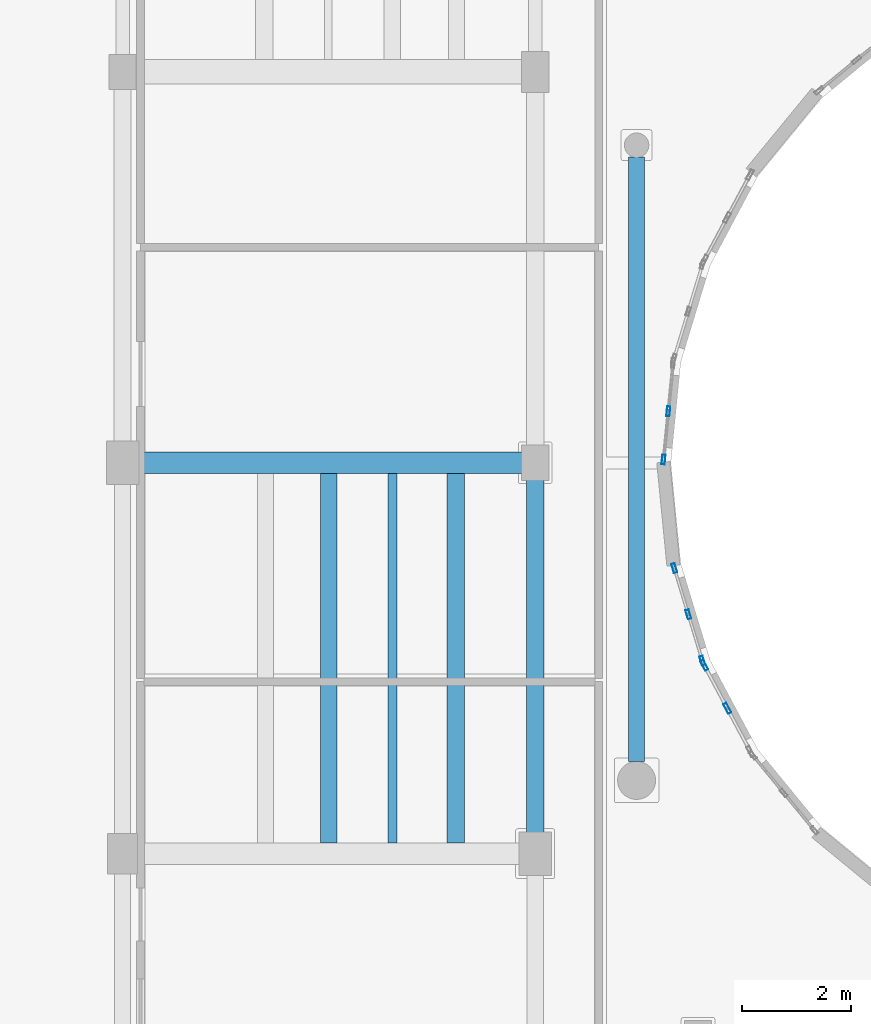
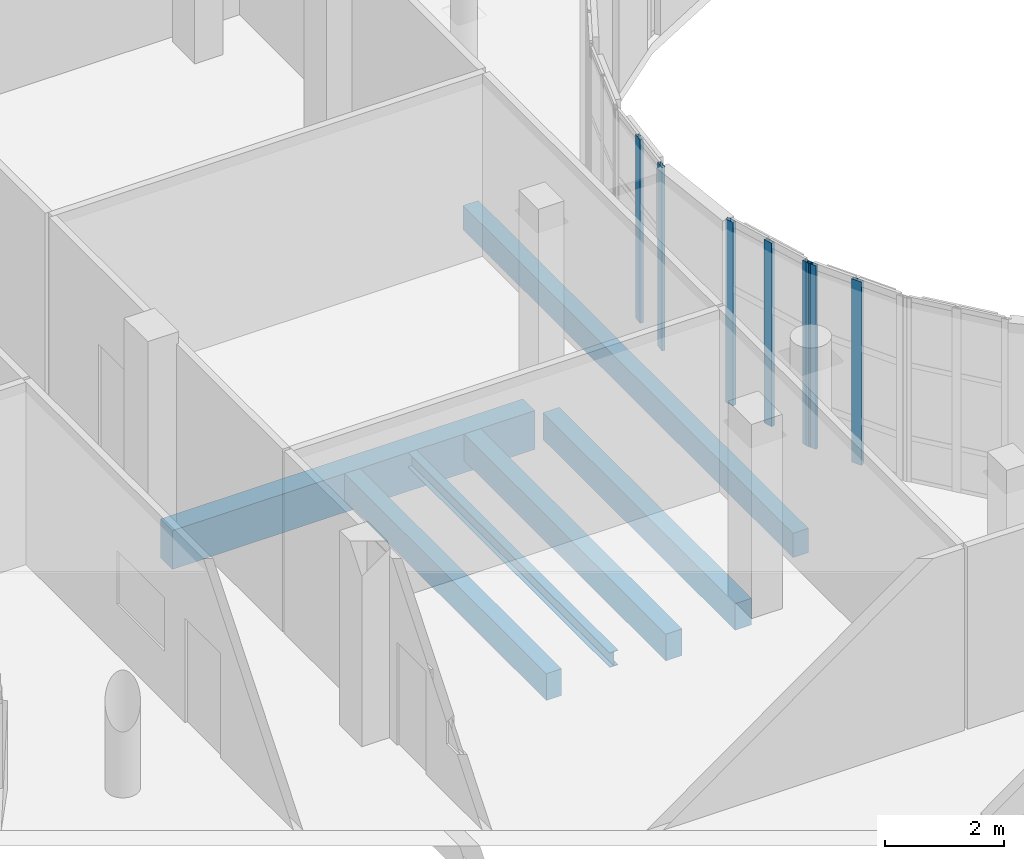
# One storey, part 27 of 89: 7 members, 6 beams, 3 elements without a shape of their own.
"""IFC4 building model written with IfcOpenShell, lengths in metres."""

from ifc_helpers import new_model, si_unit, direction, frame, origin, origin_2d, place, context, subcontext, project, spatial, rectangle, hollow_rectangle, i_section, extrude, material, layer, layer_set, material_profile, profile_set, type_object, element, aggregate, save


model = new_model("IFC4")

# Units and contexts
model_context = context("Model", 3, precision=1e-05, world=origin(), true_north=direction((0.0, 1.0)))
body_context = subcontext(model_context, "Body", "Model", "MODEL_VIEW")
ifc_project = project(units=[si_unit("LENGTHUNIT", "METRE"), si_unit("AREAUNIT", "SQUARE_METRE"), si_unit("VOLUMEUNIT", "CUBIC_METRE"), si_unit("PLANEANGLEUNIT", "RADIAN"), si_unit("MASSUNIT", "GRAM", prefix="KILO")], contexts=[model_context])

# Site, building, storey
site_placement = place(None, origin())
site = spatial("IfcSite", under=ifc_project, at=site_placement, CompositionType="ELEMENT")
building_placement = place(site_placement, origin())
building = spatial("IfcBuilding", under=site, at=building_placement, Name="Kelanivale Promenade Academy", CompositionType="ELEMENT")
storey_placement = place(building_placement, frame((0.0, 0.0, 12.199951171875)))
storey = spatial("IfcBuildingStorey", under=building, at=storey_placement, Name="L03", CompositionType="ELEMENT", Elevation=12.199951171875)

# Beam
ifc_material_1 = material(Name="Concrete C35/45", Category="concrete")
ifc_material_profile_1 = material_profile(ifc_material_1, rectangle(XDim=0.39990234375, YDim=0.800048828125, at=origin_2d()), Name="RC-BM 400x800")
ifc_profile_set_1 = profile_set([ifc_material_profile_1], Name="Concrete C35/45")
beam_type_1 = type_object("IfcBeamType", Name="BM-14 RC-BM 400x800", PredefinedType="BEAM", material=ifc_profile_set_1)
beam_1_placement = place(storey_placement, frame((79.4951171875, 56.800048828125, -0.619873046875), z_axis=(1.0, 0.0, 0.0), x_axis=(0.0, 1.0, 0.0)))
element("IfcBeam", 1, at=beam_1_placement, inside=storey, type_object=beam_type_1, Name="L03 girder BM-14", PredefinedType="BEAM", context=body_context, shape_type="SweptSolid", body=[
    extrude(rectangle(XDim=0.39990234375, YDim=0.800048828125, at=origin_2d()), origin(), (0.0, 0.0, 1.0), 7.059814453125),
])

# Curtain wall, members
ifc_material_2 = material(Name="Bronze anodised aluminium and solar-control low-E glass", Category="aluminium")
ifc_layer_1 = layer(ifc_material_2, 0.169921875)
ifc_layer_set_1 = layer_set([ifc_layer_1], Name="Bronze anodised aluminium and solar-control low-E glass")
curtain_wall_type_1 = type_object("IfcCurtainWallType", Name="CW-22 Curtain Wall 1800mm Module", PredefinedType="USERDEFINED", material=ifc_layer_set_1)
curtain_wall_1_placement = place(storey_placement, origin())
curtain_wall_1 = element("IfcCurtainWall", 2, at=curtain_wall_1_placement, inside=storey, type_object=curtain_wall_type_1, Name="L03 courtyard curtain wall CW-22", ObjectType="COURTYARD SCREEN GLAZING", PredefinedType="USERDEFINED")
ifc_material_3 = material(Name="Bronze anodised aluminium EN AW-6063 T6", Category="aluminium")
ifc_material_profile_2 = material_profile(ifc_material_3, hollow_rectangle(XDim=0.06005859375, YDim=0.179931640625, WallThickness=0.00390625, at=origin_2d()), Name="ALU 60x180x4.0")
ifc_profile_set_2 = profile_set([ifc_material_profile_2], Name="Bronze anodised aluminium EN AW-6063 T6")
member_type_1 = type_object("IfcMemberType", Name="CWM-02 ALU 60x180x4.0", PredefinedType="MULLION", material=ifc_profile_set_2)
member_1_placement = place(storey_placement, frame((89.2529296875, 57.748046875, 0.0), z_axis=(0.0, 0.0, 1.0), x_axis=(0.99513321337, -0.098538762159, 0.0)))
member_1 = element("IfcMember", 3, at=member_1_placement, type_object=member_type_1, Name="CW-22 mullion 2", PredefinedType="MULLION", context=body_context, shape_type="SweptSolid", body=[
    extrude(hollow_rectangle(XDim=0.06005859375, YDim=0.179931640625, WallThickness=0.00390625, at=origin_2d()), origin(), (0.0, 0.0, 1.0), 3.780029296875),
])
member_2_placement = place(storey_placement, frame((89.1650390625, 56.85888671875, 0.0), z_axis=(0.0, 0.0, 1.0), x_axis=(0.99513321337, -0.098538762159, 0.0)))
member_2 = element("IfcMember", 4, at=member_2_placement, type_object=member_type_1, Name="CW-22 mullion 3", PredefinedType="MULLION", context=body_context, shape_type="SweptSolid", body=[
    extrude(hollow_rectangle(XDim=0.06005859375, YDim=0.179931640625, WallThickness=0.00390625, at=origin_2d()), origin(), (0.0, 0.0, 1.0), 3.780029296875),
])
aggregate(curtain_wall_1, [member_1, member_2])

ifc_layer_2 = layer(ifc_material_2, 0.179931640625)
ifc_layer_set_2 = layer_set([ifc_layer_2], Name="Bronze anodised aluminium and solar-control low-E glass")
curtain_wall_type_2 = type_object("IfcCurtainWallType", Name="CW-23 Curtain Wall 1950mm Module", PredefinedType="USERDEFINED", material=ifc_layer_set_2)
curtain_wall_2_placement = place(storey_placement, origin())
curtain_wall_2 = element("IfcCurtainWall", 5, at=curtain_wall_2_placement, inside=storey, type_object=curtain_wall_type_2, Name="L03 courtyard curtain wall CW-23", ObjectType="COURTYARD SCREEN GLAZING", PredefinedType="USERDEFINED")
ifc_material_profile_3 = material_profile(ifc_material_3, hollow_rectangle(XDim=0.06494140625, YDim=0.175048828125, WallThickness=0.00390625, at=origin_2d()), Name="ALU 65x175x4.0")
ifc_profile_set_3 = profile_set([ifc_material_profile_3], Name="Bronze anodised aluminium EN AW-6063 T6")
member_type_2 = type_object("IfcMemberType", Name="CWM-03 ALU 65x175x4.0", PredefinedType="MULLION", material=ifc_profile_set_3)
member_3_placement = place(storey_placement, frame((89.362548828125, 54.86083984375, 0.0), z_axis=(0.0, 0.0, 1.0), x_axis=(0.956987977524, 0.290127576893, 0.0)))
member_3 = element("IfcMember", 6, at=member_3_placement, type_object=member_type_2, Name="CW-23 mullion 1", PredefinedType="MULLION", context=body_context, shape_type="SweptSolid", body=[
    extrude(hollow_rectangle(XDim=0.06494140625, YDim=0.175048828125, WallThickness=0.00390625, at=origin_2d()), origin(), (0.0, 0.0, 1.0), 3.780029296875),
])
member_4_placement = place(storey_placement, frame((89.62109375, 54.008056640625, 0.0), z_axis=(0.0, 0.0, 1.0), x_axis=(0.956987977524, 0.290127576893, 0.0)))
member_4 = element("IfcMember", 7, at=member_4_placement, type_object=member_type_2, Name="CW-23 mullion 2", PredefinedType="MULLION", context=body_context, shape_type="SweptSolid", body=[
    extrude(hollow_rectangle(XDim=0.06494140625, YDim=0.175048828125, WallThickness=0.00390625, at=origin_2d()), origin(), (0.0, 0.0, 1.0), 3.780029296875),
])
member_5_placement = place(storey_placement, frame((89.879638671875, 53.155029296875, 0.0), z_axis=(0.0, 0.0, 1.0), x_axis=(0.956987977524, 0.290127576893, 0.0)))
member_5 = element("IfcMember", 8, at=member_5_placement, type_object=member_type_2, Name="CW-23 mullion 3", PredefinedType="MULLION", context=body_context, shape_type="SweptSolid", body=[
    extrude(hollow_rectangle(XDim=0.06494140625, YDim=0.175048828125, WallThickness=0.00390625, at=origin_2d()), origin(), (0.0, 0.0, 1.0), 3.780029296875),
])
aggregate(curtain_wall_2, [member_3, member_4, member_5])

ifc_layer_3 = layer(ifc_material_2, 0.159912109375)
ifc_layer_set_3 = layer_set([ifc_layer_3], Name="Bronze anodised aluminium and solar-control low-E glass")
curtain_wall_type_3 = type_object("IfcCurtainWallType", Name="CW-24 Curtain Wall 1200mm Module", PredefinedType="USERDEFINED", material=ifc_layer_set_3)
curtain_wall_3_placement = place(storey_placement, origin())
curtain_wall_3 = element("IfcCurtainWall", 9, at=curtain_wall_3_placement, inside=storey, type_object=curtain_wall_type_3, Name="L03 courtyard curtain wall CW-24", ObjectType="COURTYARD SCREEN GLAZING", PredefinedType="USERDEFINED")
ifc_material_profile_4 = material_profile(ifc_material_3, hollow_rectangle(XDim=0.06494140625, YDim=0.199951171875, WallThickness=0.00439453125, at=origin_2d()), Name="ALU 65x200x4.5")
ifc_profile_set_4 = profile_set([ifc_material_profile_4], Name="Bronze anodised aluminium EN AW-6063 T6")
member_type_3 = type_object("IfcMemberType", Name="CWM-04 ALU 65x200x4.5", PredefinedType="MULLION", material=ifc_profile_set_4)
member_6_placement = place(storey_placement, frame((89.915283203125, 53.0703125, 0.0), z_axis=(0.0, 0.0, 1.0), x_axis=(0.881966294698, 0.471312481286, 0.0)))
member_6 = element("IfcMember", 10, at=member_6_placement, type_object=member_type_3, Name="CW-24 mullion 1", PredefinedType="MULLION", context=body_context, shape_type="SweptSolid", body=[
    extrude(hollow_rectangle(XDim=0.06494140625, YDim=0.199951171875, WallThickness=0.00439453125, at=origin_2d()), origin(), (0.0, 0.0, 1.0), 3.780029296875),
])
member_7_placement = place(storey_placement, frame((90.339111328125, 52.277587890625, 0.0), z_axis=(0.0, 0.0, 1.0), x_axis=(0.881966294698, 0.471312481286, 0.0)))
member_7 = element("IfcMember", 11, at=member_7_placement, type_object=member_type_3, Name="CW-24 mullion 2", PredefinedType="MULLION", context=body_context, shape_type="SweptSolid", body=[
    extrude(hollow_rectangle(XDim=0.06494140625, YDim=0.199951171875, WallThickness=0.00439453125, at=origin_2d()), origin(), (0.0, 0.0, 1.0), 3.780029296875),
])
aggregate(curtain_wall_3, [member_6, member_7])

# Beams
ifc_material_profile_5 = material_profile(ifc_material_1, rectangle(XDim=0.300048828125, YDim=0.5, at=origin_2d()), Name="RC-BM 300x500")
ifc_profile_set_5 = profile_set([ifc_material_profile_5], Name="Concrete C35/45")
beam_type_2 = type_object("IfcBeamType", Name="JS-01 RC-BM 300x500", PredefinedType="JOIST", material=ifc_profile_set_5)
beam_2_placement = place(storey_placement, frame((88.66796875, 51.294921875, -0.469970703125), z_axis=(0.0, 1.0, 0.0), x_axis=(-1.0, 0.0, 0.0)))
element("IfcBeam", 12, at=beam_2_placement, inside=storey, type_object=beam_type_2, Name="L03 beam JS-01", PredefinedType="JOIST", context=body_context, shape_type="SweptSolid", body=[
    extrude(rectangle(XDim=0.300048828125, YDim=0.5, at=origin_2d()), origin(), (0.0, 0.0, 1.0), 11.135009765625),
])
ifc_material_profile_6 = material_profile(ifc_material_1, rectangle(XDim=0.300048828125, YDim=0.550048828125, at=origin_2d()), Name="RC-BM 300x550")
ifc_profile_set_6 = profile_set([ifc_material_profile_6], Name="Concrete C35/45")
beam_type_3 = type_object("IfcBeamType", Name="JS-02 RC-BM 300x550", PredefinedType="JOIST", material=ifc_profile_set_6)
beam_3_placement = place(storey_placement, frame((83.0, 49.800048828125, -0.494873046875), z_axis=(0.0, 1.0, 0.0), x_axis=(-1.0, 0.0, 0.0)))
element("IfcBeam", 13, at=beam_3_placement, inside=storey, type_object=beam_type_3, Name="L03 secondary sub-beam JS-02", PredefinedType="JOIST", context=body_context, shape_type="SweptSolid", body=[
    extrude(rectangle(XDim=0.300048828125, YDim=0.550048828125, at=origin_2d()), origin(), (0.0, 0.0, 1.0), 6.800048828125),
])
ifc_material_profile_7 = material_profile(ifc_material_1, rectangle(XDim=0.320068359375, YDim=0.550048828125, at=origin_2d()), Name="RC-BM 320x550")
ifc_profile_set_7 = profile_set([ifc_material_profile_7], Name="Concrete C35/45")
beam_type_4 = type_object("IfcBeamType", Name="JS-04 RC-BM 320x550", PredefinedType="JOIST", material=ifc_profile_set_7)
beam_4_placement = place(storey_placement, frame((86.800048828125, 49.9951171875, -0.494873046875), z_axis=(0.0, 1.0, 0.0), x_axis=(-1.0, 0.0, 0.0)))
element("IfcBeam", 14, at=beam_4_placement, inside=storey, type_object=beam_type_4, Name="L03 beam JS-04", PredefinedType="JOIST", context=body_context, shape_type="SweptSolid", body=[
    extrude(rectangle(XDim=0.320068359375, YDim=0.550048828125, at=origin_2d()), origin(), (0.0, 0.0, 1.0), 6.48486328125),
])
beam_5_placement = place(storey_placement, frame((85.3369140625, 49.800048828125, -0.494873046875), z_axis=(0.0, 1.0, 0.0), x_axis=(-1.0, 0.0, 0.0)))
element("IfcBeam", 15, at=beam_5_placement, inside=storey, type_object=beam_type_4, Name="L03 secondary sub-beam JS-04", PredefinedType="JOIST", context=body_context, shape_type="SweptSolid", body=[
    extrude(rectangle(XDim=0.320068359375, YDim=0.550048828125, at=origin_2d()), origin(), (0.0, 0.0, 1.0), 6.800048828125),
])
ifc_material_4 = material(Name="Steel S355", Category="steel")
ifc_material_profile_8 = material_profile(ifc_material_4, i_section(OverallWidth=0.1650390625, OverallDepth=0.303466796875, WebThickness=0.006103515625, FlangeThickness=0.01025390625, FilletRadius=0.0087890625, at=origin_2d()), Name="UB 305x165x40")
ifc_profile_set_8 = profile_set([ifc_material_profile_8], Name="Steel S355")
beam_type_5 = type_object("IfcBeamType", Name="SB-03 UB 305x165x40", PredefinedType="BEAM", material=ifc_profile_set_8)
beam_6_placement = place(storey_placement, frame((84.16796875, 49.800048828125, -0.3720703125), z_axis=(0.0, 1.0, 0.0), x_axis=(-1.0, 0.0, 0.0)))
element("IfcBeam", 16, at=beam_6_placement, inside=storey, type_object=beam_type_5, Name="L03 secondary sub-beam SB-03", PredefinedType="BEAM", context=body_context, shape_type="SweptSolid", body=[
    extrude(i_section(OverallWidth=0.1650390625, OverallDepth=0.303466796875, WebThickness=0.006103515625, FlangeThickness=0.01025390625, FilletRadius=0.0087890625, at=origin_2d()), origin(), (0.0, 0.0, 1.0), 6.800048828125),
])

save(model, "model.ifc")
